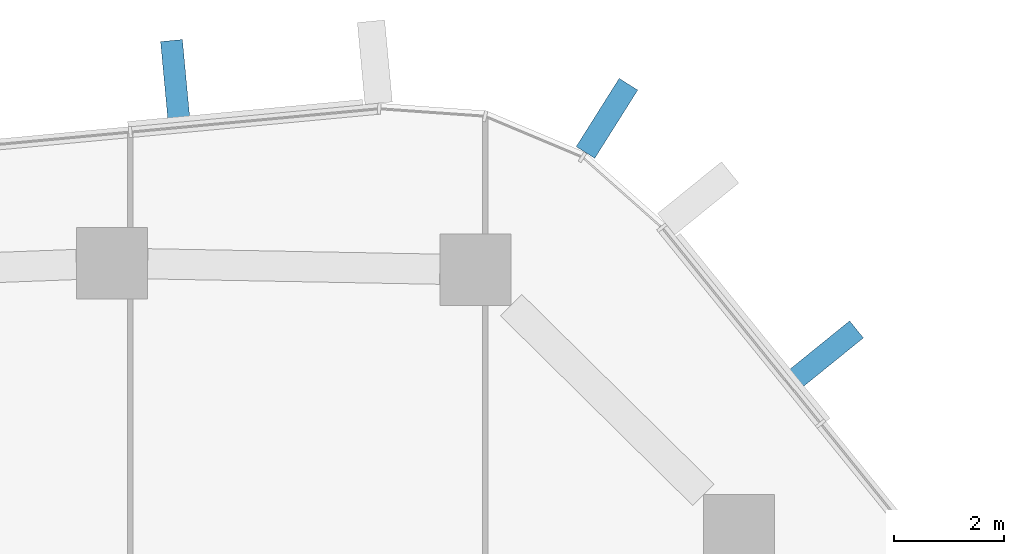
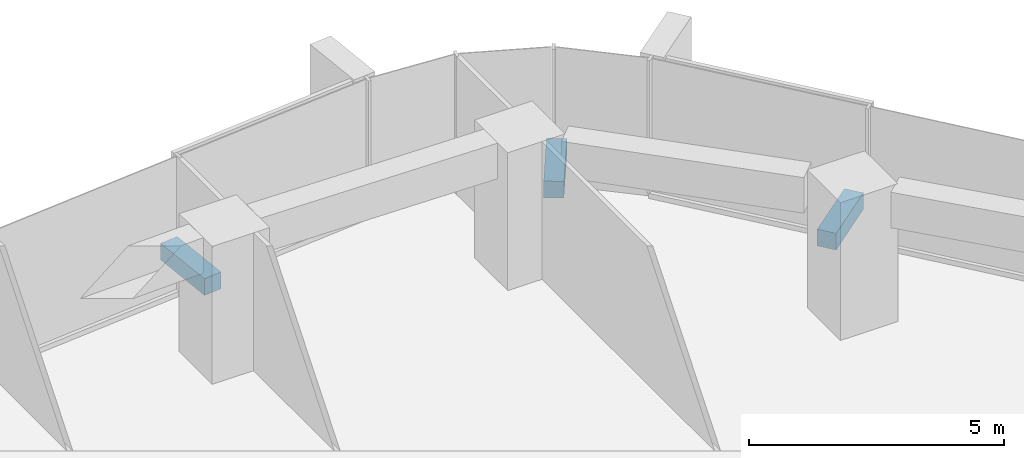
# One storey, part 18 of 24: 3 discrete accessories.
"""IFC4 building model written with IfcOpenShell, lengths in metres."""

from ifc_helpers import new_model, si_unit, direction, frame, origin, origin_2d, place, context, subcontext, project, spatial, rectangle, extrude, material, type_object, element, save


model = new_model("IFC4")

# Units and contexts
model_context = context("Model", 3, precision=1e-05, world=origin(), true_north=direction((0.0, 1.0)))
body_context = subcontext(model_context, "Body", "Model", "MODEL_VIEW")
ifc_project = project(units=[si_unit("LENGTHUNIT", "METRE"), si_unit("AREAUNIT", "SQUARE_METRE"), si_unit("VOLUMEUNIT", "CUBIC_METRE"), si_unit("PLANEANGLEUNIT", "RADIAN"), si_unit("MASSUNIT", "GRAM", prefix="KILO")], contexts=[model_context])

# Site, building, storey
site_placement = place(None, origin())
site = spatial("IfcSite", under=ifc_project, at=site_placement, CompositionType="ELEMENT")
building_placement = place(site_placement, origin())
building = spatial("IfcBuilding", under=site, at=building_placement, Name="Dongbaek Canopy Tower", CompositionType="ELEMENT")
storey_placement = place(building_placement, frame((0.0, 0.0, 124.800048828125)))
storey = spatial("IfcBuildingStorey", under=building, at=storey_placement, Name="L27", CompositionType="ELEMENT", Elevation=124.800048828125)

# Discrete accessories
ifc_material = material(Name="Galvanised steel S355 bracket", Category="steel")
discrete_accessory_type = type_object("IfcDiscreteAccessoryType", Name="Crease fin bracket BR3 400", PredefinedType="BRACKET", material=ifc_material)
for number, where, z_axis, x_axis, name in (
    (1, (18.279052734375, 25.12158203125, -0.39990234375), (0.0, 0.0, 1.0), (0.777161338423, 0.629301401604, 0.0), "Crease fin bracket L27 F0"),
    (2, (6.448486328125, 30.110595703125, -0.39990234375), (0.0, 0.0, 1.0), (-0.093397617783, 0.995628889191, 0.0), "Crease fin bracket L27 F1"),
):
    element("IfcDiscreteAccessory", number, at=place(storey_placement, frame(where, z_axis=z_axis, x_axis=x_axis)), inside=storey, type_object=discrete_accessory_type, Name=name, PredefinedType="BRACKET", context=body_context, shape_type="SweptSolid", body=[
        extrude(rectangle(XDim=1.489990234375, YDim=0.39990234375, at=origin_2d()), origin(), (0.0, 0.0, 1.0), 0.39990234375),
    ])
discrete_accessory_placement = place(storey_placement, frame((14.31201171875, 29.434814453125, -0.39990234375), z_axis=(0.0, 0.0, 1.0), x_axis=(0.533090407429, 0.846058282571, 0.0)))
element("IfcDiscreteAccessory", 3, at=discrete_accessory_placement, inside=storey, type_object=discrete_accessory_type, Name="Corner fin bracket L27 K1", PredefinedType="BRACKET", context=body_context, shape_type="SweptSolid", body=[
    extrude(rectangle(XDim=1.469970703125, YDim=0.39990234375, at=origin_2d()), origin(), (0.0, 0.0, 1.0), 0.39990234375),
])

save(model, "model.ifc")
